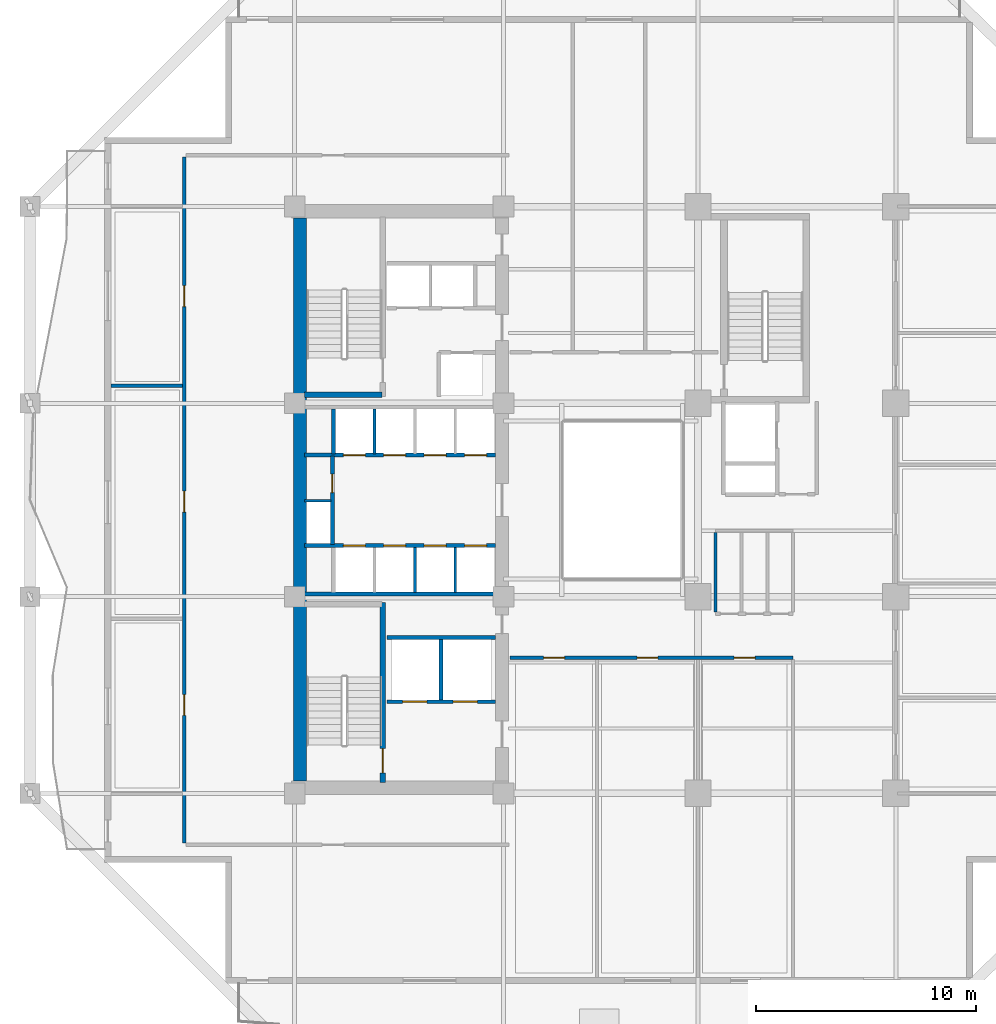
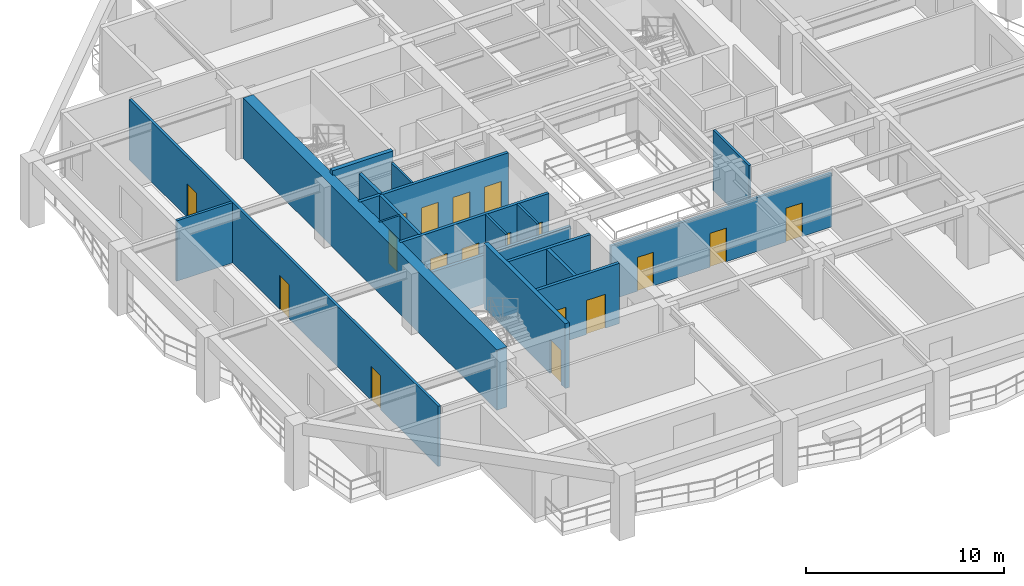
# One storey, part 3 of 13: 19 walls, 18 doors, 18 openings.
"""IFC4 building model written with IfcOpenShell, lengths in metres."""

from ifc_helpers import new_model, si_unit, direction, frame, frame_2d, origin, place, context, subcontext, project, spatial, rectangle, extrude, material, layer, layer_set, type_object, element, fill, save


model = new_model("IFC4")

# Units and contexts
model_context = context("Model", 3, precision=1e-05, world=origin(), true_north=direction((0.0, 1.0)))
body_context = subcontext(model_context, "Body", "Model", "MODEL_VIEW")
ifc_project = project(units=[si_unit("LENGTHUNIT", "METRE"), si_unit("AREAUNIT", "SQUARE_METRE"), si_unit("VOLUMEUNIT", "CUBIC_METRE"), si_unit("PLANEANGLEUNIT", "RADIAN"), si_unit("MASSUNIT", "GRAM", prefix="KILO")], contexts=[model_context])

# Site, building, storey
site_placement = place(None, origin())
site = spatial("IfcSite", under=ifc_project, at=site_placement, CompositionType="ELEMENT")
building_placement = place(site_placement, origin())
building = spatial("IfcBuilding", under=site, at=building_placement, Name="Kundavana Baori Tower", CompositionType="ELEMENT")
storey_placement = place(building_placement, frame((0.0, 0.0, 54.0)))
storey = spatial("IfcBuildingStorey", under=building, at=storey_placement, Name="L12", CompositionType="ELEMENT", Elevation=54.0)

# Wall, opening, door
ifc_material_1 = material(Name="Concrete C50/60", Category="concrete")
ifc_layer_1 = layer(ifc_material_1, 0.39990234375, Name="WL-CORE-400")
ifc_layer_set_1 = layer_set([ifc_layer_1], Name="Concrete C50/60")
wall_type_1 = type_object("IfcWallType", Name="WL-CORE-400", PredefinedType="SHEAR", material=ifc_layer_set_1)
wall_1_placement = place(storey_placement, frame((19.4599609375, 15.739990234375, 0.0), z_axis=(0.0, 0.0, 1.0), x_axis=(0.0, 1.0, 0.0)))
wall_1 = element("IfcWall", 1, at=wall_1_placement, inside=storey, type_object=wall_type_1, Name="WL-L12-ST1-E", PredefinedType="SHEAR", context=body_context, shape_type="SweptSolid", body=[
    extrude(rectangle(XDim=8.199951171875, YDim=0.239990234375, at=frame_2d((4.10009765625, 0.0))), origin(), (0.0, 0.0, 1.0), 4.0),
])
opening_1_placement = place(wall_1_placement, frame((0.449951171875, 0.0, 0.0)))
opening_1 = element("IfcOpeningElement", 2, at=opening_1_placement, cuts=wall_1, Name="Opening FD-110", PredefinedType="OPENING", context=body_context, shape_type="SweptSolid", body=[
    extrude(rectangle(XDim=1.10009765625, YDim=2.10009765625, at=frame_2d((0.550048828125, 1.050048828125))), frame((0.0, 0.1298828125, 0.0), z_axis=(0.0, -1.0, 0.0), x_axis=(1.0, 0.0, 0.0)), (0.0, 0.0, 1.0), 0.260009765625),
])
ifc_material_2 = material(Name="Galvanised Steel Fire-Rated Door Leaf", Category="steel")
door_type_1 = type_object("IfcDoorType", Name="DR-FD120-1100", OperationType="NOTDEFINED", PredefinedType="DOOR", material=ifc_material_2)
door_1_placement = place(opening_1_placement, origin())
door_1 = element("IfcDoor", 3, at=door_1_placement, inside=storey, type_object=door_type_1, Name="DR-L12-ST1", OperationType="SINGLE_SWING_LEFT", OverallHeight=2.10009765625, OverallWidth=1.10009765625, PredefinedType="DOOR", context=body_context, shape_type="SweptSolid", body=[
    extrude(rectangle(XDim=1.10009765625, YDim=2.10009765625, at=frame_2d((0.550048828125, 1.050048828125))), frame((0.0, 0.02490234375, 0.0), z_axis=(0.0, -1.0, 0.0), x_axis=(1.0, 0.0, 0.0)), (0.0, 0.0, 1.0), 0.050048828125),
])
fill(opening_1, door_1)

# Walls
wall_2_placement = place(storey_placement, frame((15.89990234375, 33.389892578125, 0.0), z_axis=(0.0, 0.0, 1.0), x_axis=(1.0, 0.0, 0.0)))
element("IfcWall", 4, at=wall_2_placement, inside=storey, type_object=wall_type_1, Name="WL-L12-ST2-S", PredefinedType="SHEAR", context=body_context, shape_type="SweptSolid", body=[
    extrude(rectangle(XDim=3.52001953125, YDim=0.239990234375, at=frame_2d((1.760009765625, 0.0))), origin(), (0.0, 0.0, 1.0), 4.0),
])
ifc_material_3 = material(Name="Concrete C60/75", Category="concrete")
ifc_layer_2 = layer(ifc_material_3, 0.60009765625, Name="WL-CORE-600")
ifc_layer_set_2 = layer_set([ifc_layer_2], Name="Concrete C60/75")
wall_type_2 = type_object("IfcWallType", Name="WL-CORE-600", PredefinedType="SHEAR", material=ifc_layer_set_2)
wall_3_placement = place(storey_placement, frame((15.68994140625, 15.81005859375, 0.0), z_axis=(0.0, 0.0, 1.0), x_axis=(0.0, 1.0, 0.0)))
element("IfcWall", 5, at=wall_3_placement, inside=storey, type_object=wall_type_2, Name="L12 Offset Core West Shear Wall", PredefinedType="SHEAR", context=body_context, shape_type="SweptSolid", body=[
    extrude(rectangle(XDim=25.6298828125, YDim=0.60009765625, at=frame_2d((12.81494140625, 0.0))), origin(), (0.0, 0.0, 1.0), 3.719970703125),
])
ifc_material_4 = material(Name="Acoustic Gypsum Plasterboard on Galvanised Steel Studs", Category="steel")
ifc_layer_3 = layer(ifc_material_4, 0.1201171875, Name="WL-PART-120")
ifc_layer_set_3 = layer_set([ifc_layer_3], Name="Acoustic Gypsum Plasterboard on Galvanised Steel Studs")
wall_type_3 = type_object("IfcWallType", Name="WL-PART-120", PredefinedType="PARTITIONING", material=ifc_layer_set_3)
for number, where, z_axis, x_axis, name in (
    (6, (20.919921875, 24.39990234375, 0.0), (0.0, 0.0, 1.0), (0.0, 1.0, 0.0), "WL-L12-LPLOW-D2"),
    (7, (22.760009765625, 24.39990234375, 0.0), (0.0, 0.0, 1.0), (0.0, 1.0, 0.0), "WL-L12-LPLOW-D3"),
):
    element("IfcWall", number, at=place(storey_placement, frame(where, z_axis=z_axis, x_axis=x_axis)), inside=storey, type_object=wall_type_3, Name=name, PredefinedType="PARTITIONING", context=body_context, shape_type="SweptSolid", body=[
        extrude(rectangle(XDim=2.050048828125, YDim=0.1201171875, at=frame_2d((1.02490234375, 0.0))), origin(), (0.0, 0.0, 1.0), 3.719970703125),
    ])
wall_4_placement = place(storey_placement, frame((15.89990234375, 28.56005859375, 0.0), z_axis=(0.0, 0.0, 1.0), x_axis=(1.0, 0.0, 0.0)))
element("IfcWall", 8, at=wall_4_placement, inside=storey, type_object=wall_type_3, Name="WL-L12-RSRW-N", PredefinedType="PARTITIONING", context=body_context, shape_type="SweptSolid", body=[
    extrude(rectangle(XDim=1.2001953125, YDim=0.1201171875, at=frame_2d((0.60009765625, 0.0))), origin(), (0.0, 0.0, 1.0), 3.719970703125),
])
wall_5_placement = place(storey_placement, frame((19.080078125, 30.699951171875, 0.0), z_axis=(0.0, 0.0, 1.0), x_axis=(0.0, 1.0, 0.0)))
element("IfcWall", 9, at=wall_5_placement, inside=storey, type_object=wall_type_3, Name="WL-L12-LPMID-D1", PredefinedType="PARTITIONING", context=body_context, shape_type="SweptSolid", body=[
    extrude(rectangle(XDim=2.050048828125, YDim=0.1201171875, at=frame_2d((1.02490234375, 0.0))), origin(), (0.0, 0.0, 1.0), 3.719970703125),
])

# Wall, openings, doors
ifc_material_5 = material(Name="Fire-Rated Gypsum Drywall on Galvanised Steel Studs", Category="steel")
ifc_layer_4 = layer(ifc_material_5, 0.14990234375, Name="WL-PART-150")
ifc_layer_set_4 = layer_set([ifc_layer_4], Name="Fire-Rated Gypsum Drywall on Galvanised Steel Studs")
wall_type_4 = type_object("IfcWallType", Name="WL-PART-150", PredefinedType="PARTITIONING", material=ifc_layer_set_4)
wall_6_placement = place(storey_placement, frame((25.25, 21.419921875, 0.0), z_axis=(0.0, 0.0, 1.0), x_axis=(1.0, 0.0, 0.0)))
wall_6 = element("IfcWall", 10, at=wall_6_placement, inside=storey, type_object=wall_type_4, Name="WL-L12-OFS", PredefinedType="PARTITIONING", context=body_context, shape_type="SweptSolid", body=[
    extrude(rectangle(XDim=12.8701171875, YDim=0.14990234375, at=frame_2d((6.43505859375, 0.0))), origin(), (0.0, 0.0, 1.0), 3.320068359375),
])
opening_2_placement = place(wall_6_placement, frame((1.52490234375, 0.0, 0.0)))
opening_2 = element("IfcOpeningElement", 11, at=opening_2_placement, cuts=wall_6, Name="Opening ID-095", PredefinedType="OPENING", context=body_context, shape_type="SweptSolid", body=[
    extrude(rectangle(XDim=0.949951171875, YDim=2.080078125, at=frame_2d((0.47509765625, 1.0400390625))), frame((0.0, 0.0849609375, 0.0), z_axis=(0.0, -1.0, 0.0), x_axis=(1.0, 0.0, 0.0)), (0.0, 0.0, 1.0), 0.169921875),
])
opening_3_placement = place(wall_6_placement, frame((5.77490234375, 0.0, 0.0)))
opening_3 = element("IfcOpeningElement", 12, at=opening_3_placement, cuts=wall_6, Name="Opening ID-095", PredefinedType="OPENING", context=body_context, shape_type="SweptSolid", body=[
    extrude(rectangle(XDim=0.949951171875, YDim=2.080078125, at=frame_2d((0.47509765625, 1.0400390625))), frame((0.0, 0.0849609375, 0.0), z_axis=(0.0, -1.0, 0.0), x_axis=(1.0, 0.0, 0.0)), (0.0, 0.0, 1.0), 0.169921875),
])
opening_4_placement = place(wall_6_placement, frame((10.195068359375, 0.0, 0.0)))
opening_4 = element("IfcOpeningElement", 13, at=opening_4_placement, cuts=wall_6, Name="Opening ID-095", PredefinedType="OPENING", context=body_context, shape_type="SweptSolid", body=[
    extrude(rectangle(XDim=0.949951171875, YDim=2.080078125, at=frame_2d((0.47509765625, 1.0400390625))), frame((0.0, 0.0849609375, 0.0), z_axis=(0.0, -1.0, 0.0), x_axis=(1.0, 0.0, 0.0)), (0.0, 0.0, 1.0), 0.169921875),
])
ifc_material_6 = material(Name="Engineered Teak Solid-Core Timber Veneer", Category="wood")
door_type_2 = type_object("IfcDoorType", Name="DR-INT-950", OperationType="NOTDEFINED", PredefinedType="DOOR", material=ifc_material_6)
door_2_placement = place(opening_2_placement, frame((0.949951171875, 0.0, 0.0), z_axis=(0.0, 0.0, 1.0), x_axis=(-1.0, 0.0, 0.0)))
door_2 = element("IfcDoor", 14, at=door_2_placement, inside=storey, type_object=door_type_2, Name="DR-L12-OFS1", OperationType="SINGLE_SWING_LEFT", OverallHeight=2.080078125, OverallWidth=0.949951171875, PredefinedType="DOOR", context=body_context, shape_type="SweptSolid", body=[
    extrude(rectangle(XDim=0.949951171875, YDim=2.080078125, at=frame_2d((0.47509765625, 1.0400390625))), frame((0.0, 0.02490234375, 0.0), z_axis=(0.0, -1.0, 0.0), x_axis=(1.0, 0.0, 0.0)), (0.0, 0.0, 1.0), 0.050048828125),
])
fill(opening_2, door_2)
door_3_placement = place(opening_3_placement, frame((0.949951171875, 0.0, 0.0), z_axis=(0.0, 0.0, 1.0), x_axis=(-1.0, 0.0, 0.0)))
door_3 = element("IfcDoor", 15, at=door_3_placement, inside=storey, type_object=door_type_2, Name="DR-L12-OFS2", OperationType="SINGLE_SWING_RIGHT", OverallHeight=2.080078125, OverallWidth=0.949951171875, PredefinedType="DOOR", context=body_context, shape_type="SweptSolid", body=[
    extrude(rectangle(XDim=0.949951171875, YDim=2.080078125, at=frame_2d((0.47509765625, 1.0400390625))), frame((0.0, 0.02490234375, 0.0), z_axis=(0.0, -1.0, 0.0), x_axis=(1.0, 0.0, 0.0)), (0.0, 0.0, 1.0), 0.050048828125),
])
fill(opening_3, door_3)
door_4_placement = place(opening_4_placement, frame((0.949951171875, 0.0, 0.0), z_axis=(0.0, 0.0, 1.0), x_axis=(-1.0, 0.0, 0.0)))
door_4 = element("IfcDoor", 16, at=door_4_placement, inside=storey, type_object=door_type_2, Name="DR-L12-OFS3", OperationType="SINGLE_SWING_LEFT", OverallHeight=2.080078125, OverallWidth=0.949951171875, PredefinedType="DOOR", context=body_context, shape_type="SweptSolid", body=[
    extrude(rectangle(XDim=0.949951171875, YDim=2.080078125, at=frame_2d((0.47509765625, 1.0400390625))), frame((0.0, 0.02490234375, 0.0), z_axis=(0.0, -1.0, 0.0), x_axis=(1.0, 0.0, 0.0)), (0.0, 0.0, 1.0), 0.050048828125),
])
fill(opening_4, door_4)

wall_7_placement = place(storey_placement, frame((10.419921875, 13.0, 0.0), z_axis=(0.0, 0.0, 1.0), x_axis=(0.0, 1.0, 0.0)))
wall_7 = element("IfcWall", 17, at=wall_7_placement, inside=storey, type_object=wall_type_4, Name="WL-L12-OW", PredefinedType="PARTITIONING", context=body_context, shape_type="SweptSolid", body=[
    extrude(rectangle(XDim=31.199951171875, YDim=0.14990234375, at=frame_2d((15.60009765625, 0.0))), origin(), (0.0, 0.0, 1.0), 3.719970703125),
])
opening_5_placement = place(wall_7_placement, frame((5.800048828125, 0.0, 0.0)))
opening_5 = element("IfcOpeningElement", 18, at=opening_5_placement, cuts=wall_7, Name="Opening ID-095", PredefinedType="OPENING", context=body_context, shape_type="SweptSolid", body=[
    extrude(rectangle(XDim=0.949951171875, YDim=2.080078125, at=frame_2d((0.47509765625, 1.0400390625))), frame((0.0, 0.0849609375, 0.0), z_axis=(0.0, -1.0, 0.0), x_axis=(1.0, 0.0, 0.0)), (0.0, 0.0, 1.0), 0.169921875),
])
opening_6_placement = place(wall_7_placement, frame((15.050048828125, 0.0, 0.0)))
opening_6 = element("IfcOpeningElement", 19, at=opening_6_placement, cuts=wall_7, Name="Opening ID-095", PredefinedType="OPENING", context=body_context, shape_type="SweptSolid", body=[
    extrude(rectangle(XDim=0.949951171875, YDim=2.080078125, at=frame_2d((0.47509765625, 1.0400390625))), frame((0.0, 0.0849609375, 0.0), z_axis=(0.0, -1.0, 0.0), x_axis=(1.0, 0.0, 0.0)), (0.0, 0.0, 1.0), 0.169921875),
])
opening_7_placement = place(wall_7_placement, frame((24.39990234375, 0.0, 0.0)))
opening_7 = element("IfcOpeningElement", 20, at=opening_7_placement, cuts=wall_7, Name="Opening ID-095", PredefinedType="OPENING", context=body_context, shape_type="SweptSolid", body=[
    extrude(rectangle(XDim=0.949951171875, YDim=2.080078125, at=frame_2d((0.47509765625, 1.0400390625))), frame((0.0, 0.0849609375, 0.0), z_axis=(0.0, -1.0, 0.0), x_axis=(1.0, 0.0, 0.0)), (0.0, 0.0, 1.0), 0.169921875),
])
door_5_placement = place(opening_5_placement, frame((0.949951171875, 0.0, 0.0), z_axis=(0.0, 0.0, 1.0), x_axis=(-1.0, 0.0, 0.0)))
door_5 = element("IfcDoor", 21, at=door_5_placement, inside=storey, type_object=door_type_2, Name="DR-L12-OFW1", OperationType="SINGLE_SWING_LEFT", OverallHeight=2.080078125, OverallWidth=0.949951171875, PredefinedType="DOOR", context=body_context, shape_type="SweptSolid", body=[
    extrude(rectangle(XDim=0.949951171875, YDim=2.080078125, at=frame_2d((0.47509765625, 1.0400390625))), frame((0.0, 0.02490234375, 0.0), z_axis=(0.0, -1.0, 0.0), x_axis=(1.0, 0.0, 0.0)), (0.0, 0.0, 1.0), 0.050048828125),
])
fill(opening_5, door_5)
door_6_placement = place(opening_6_placement, frame((0.949951171875, 0.0, 0.0), z_axis=(0.0, 0.0, 1.0), x_axis=(-1.0, 0.0, 0.0)))
door_6 = element("IfcDoor", 22, at=door_6_placement, inside=storey, type_object=door_type_2, Name="DR-L12-OFW2", OperationType="SINGLE_SWING_RIGHT", OverallHeight=2.080078125, OverallWidth=0.949951171875, PredefinedType="DOOR", context=body_context, shape_type="SweptSolid", body=[
    extrude(rectangle(XDim=0.949951171875, YDim=2.080078125, at=frame_2d((0.47509765625, 1.0400390625))), frame((0.0, 0.02490234375, 0.0), z_axis=(0.0, -1.0, 0.0), x_axis=(1.0, 0.0, 0.0)), (0.0, 0.0, 1.0), 0.050048828125),
])
fill(opening_6, door_6)
door_7_placement = place(opening_7_placement, frame((0.949951171875, 0.0, 0.0), z_axis=(0.0, 0.0, 1.0), x_axis=(-1.0, 0.0, 0.0)))
door_7 = element("IfcDoor", 23, at=door_7_placement, inside=storey, type_object=door_type_2, Name="DR-L12-OFW3", OperationType="SINGLE_SWING_LEFT", OverallHeight=2.080078125, OverallWidth=0.949951171875, PredefinedType="DOOR", context=body_context, shape_type="SweptSolid", body=[
    extrude(rectangle(XDim=0.949951171875, YDim=2.080078125, at=frame_2d((0.47509765625, 1.0400390625))), frame((0.0, 0.02490234375, 0.0), z_axis=(0.0, -1.0, 0.0), x_axis=(1.0, 0.0, 0.0)), (0.0, 0.0, 1.0), 0.050048828125),
])
fill(opening_7, door_7)

# Wall
wall_8_placement = place(storey_placement, frame((7.080078125, 33.800048828125, 0.0), z_axis=(0.0, 0.0, 1.0), x_axis=(1.0, 0.0, 0.0)))
element("IfcWall", 24, at=wall_8_placement, inside=storey, type_object=wall_type_4, Name="WL-L12-WD2", PredefinedType="PARTITIONING", context=body_context, shape_type="SweptSolid", body=[
    extrude(rectangle(XDim=3.260009765625, YDim=0.14990234375, at=frame_2d((1.6298828125, 0.0))), origin(), (0.0, 0.0, 1.0), 3.719970703125),
])

# Wall, openings, doors
ifc_material_7 = material(Name="Autoclaved Aerated Concrete Blockwork Masonry", Category="masonry")
ifc_layer_5 = layer(ifc_material_7, 0.179931640625, Name="WL-SHAFT-180")
ifc_layer_set_5 = layer_set([ifc_layer_5], Name="Autoclaved Aerated Concrete Blockwork Masonry")
wall_type_5 = type_object("IfcWallType", Name="WL-SHAFT-180", PredefinedType="SOLIDWALL", material=ifc_layer_set_5)
wall_9_placement = place(storey_placement, frame((19.639892578125, 19.419921875, 0.0), z_axis=(0.0, 0.0, 1.0), x_axis=(1.0, 0.0, 0.0)))
wall_9 = element("IfcWall", 25, at=wall_9_placement, inside=storey, type_object=wall_type_5, Name="WL-L12-FFL-S", PredefinedType="SOLIDWALL", context=body_context, shape_type="SweptSolid", body=[
    extrude(rectangle(XDim=4.940185546875, YDim=0.179931640625, at=frame_2d((2.47021484375, 0.0))), origin(), (0.0, 0.0, 1.0), 3.719970703125),
])
opening_8_placement = place(wall_9_placement, frame((0.719970703125, 0.0, 0.0)))
opening_8 = element("IfcOpeningElement", 26, at=opening_8_placement, cuts=wall_9, Name="Opening LD-110", PredefinedType="OPENING", context=body_context, shape_type="SweptSolid", body=[
    extrude(rectangle(XDim=1.10009765625, YDim=2.10009765625, at=frame_2d((0.550048828125, 1.050048828125))), frame((0.0, 0.10009765625, 0.0), z_axis=(0.0, -1.0, 0.0), x_axis=(1.0, 0.0, 0.0)), (0.0, 0.0, 1.0), 0.199951171875),
])
opening_9_placement = place(wall_9_placement, frame((3.02001953125, 0.0, 0.0)))
opening_9 = element("IfcOpeningElement", 27, at=opening_9_placement, cuts=wall_9, Name="Opening LD-110", PredefinedType="OPENING", context=body_context, shape_type="SweptSolid", body=[
    extrude(rectangle(XDim=1.10009765625, YDim=2.10009765625, at=frame_2d((0.550048828125, 1.050048828125))), frame((0.0, 0.10009765625, 0.0), z_axis=(0.0, -1.0, 0.0), x_axis=(1.0, 0.0, 0.0)), (0.0, 0.0, 1.0), 0.199951171875),
])
ifc_material_8 = material(Name="Galvanised Steel Fire-Rated Door Leaf", Category="steel")
door_type_3 = type_object("IfcDoorType", Name="DR-SLIDE-LD1100", OperationType="NOTDEFINED", PredefinedType="DOOR", material=ifc_material_8)
door_8_placement = place(opening_8_placement, origin())
door_8 = element("IfcDoor", 28, at=door_8_placement, inside=storey, type_object=door_type_3, Name="DR-L12-LD-FFL-1", OperationType="DOUBLE_DOOR_SLIDING", OverallHeight=2.10009765625, OverallWidth=1.10009765625, PredefinedType="DOOR", context=body_context, shape_type="SweptSolid", body=[
    extrude(rectangle(XDim=1.10009765625, YDim=2.10009765625, at=frame_2d((0.550048828125, 1.050048828125))), frame((0.0, 0.02490234375, 0.0), z_axis=(0.0, -1.0, 0.0), x_axis=(1.0, 0.0, 0.0)), (0.0, 0.0, 1.0), 0.050048828125),
])
fill(opening_8, door_8)
door_9_placement = place(opening_9_placement, origin())
door_9 = element("IfcDoor", 29, at=door_9_placement, inside=storey, type_object=door_type_3, Name="DR-L12-LD-FFL-2", OperationType="DOUBLE_DOOR_SLIDING", OverallHeight=2.10009765625, OverallWidth=1.10009765625, PredefinedType="DOOR", context=body_context, shape_type="SweptSolid", body=[
    extrude(rectangle(XDim=1.10009765625, YDim=2.10009765625, at=frame_2d((0.550048828125, 1.050048828125))), frame((0.0, 0.02490234375, 0.0), z_axis=(0.0, -1.0, 0.0), x_axis=(1.0, 0.0, 0.0)), (0.0, 0.0, 1.0), 0.050048828125),
])
fill(opening_9, door_9)

# Walls
wall_10_placement = place(storey_placement, frame((22.10009765625, 19.510009765625, 0.0), z_axis=(0.0, 0.0, 1.0), x_axis=(0.0, 1.0, 0.0)))
element("IfcWall", 30, at=wall_10_placement, inside=storey, type_object=wall_type_5, Name="WL-L12-FFL-MID", PredefinedType="SOLIDWALL", context=body_context, shape_type="SweptSolid", body=[
    extrude(rectangle(XDim=2.739990234375, YDim=0.179931640625, at=frame_2d((1.3701171875, 0.0))), origin(), (0.0, 0.0, 1.0), 3.719970703125),
])
wall_11_placement = place(storey_placement, frame((19.639892578125, 22.340087890625, 0.0), z_axis=(0.0, 0.0, 1.0), x_axis=(1.0, 0.0, 0.0)))
element("IfcWall", 31, at=wall_11_placement, inside=storey, type_object=wall_type_5, Name="WL-L12-FFL-N", PredefinedType="SOLIDWALL", context=body_context, shape_type="SweptSolid", body=[
    extrude(rectangle(XDim=4.940185546875, YDim=0.179931640625, at=frame_2d((2.47021484375, 0.0))), origin(), (0.0, 0.0, 1.0), 3.719970703125),
])

# Wall, openings, doors
wall_12_placement = place(storey_placement, frame((15.89990234375, 26.52001953125, 0.0), z_axis=(0.0, 0.0, 1.0), x_axis=(1.0, 0.0, 0.0)))
wall_12 = element("IfcWall", 32, at=wall_12_placement, inside=storey, type_object=wall_type_5, Name="WL-L12-LPLOW-N", PredefinedType="SOLIDWALL", context=body_context, shape_type="SweptSolid", body=[
    extrude(rectangle(XDim=8.68017578125, YDim=0.179931640625, at=frame_2d((4.340087890625, 0.0))), origin(), (0.0, 0.0, 1.0), 3.719970703125),
])
opening_10_placement = place(wall_12_placement, frame((1.760009765625, 0.0, 0.0)))
opening_10 = element("IfcOpeningElement", 33, at=opening_10_placement, cuts=wall_12, Name="Opening LD-100", PredefinedType="OPENING", context=body_context, shape_type="SweptSolid", body=[
    extrude(rectangle(XDim=1.0, YDim=2.10009765625, at=frame_2d((0.5, 1.050048828125))), frame((0.0, 0.10009765625, 0.0), z_axis=(0.0, -1.0, 0.0), x_axis=(1.0, 0.0, 0.0)), (0.0, 0.0, 1.0), 0.199951171875),
])
opening_11_placement = place(wall_12_placement, frame((3.60009765625, 0.0, 0.0)))
opening_11 = element("IfcOpeningElement", 34, at=opening_11_placement, cuts=wall_12, Name="Opening LD-100", PredefinedType="OPENING", context=body_context, shape_type="SweptSolid", body=[
    extrude(rectangle(XDim=1.0, YDim=2.10009765625, at=frame_2d((0.5, 1.050048828125))), frame((0.0, 0.10009765625, 0.0), z_axis=(0.0, -1.0, 0.0), x_axis=(1.0, 0.0, 0.0)), (0.0, 0.0, 1.0), 0.199951171875),
])
opening_12_placement = place(wall_12_placement, frame((5.43994140625, 0.0, 0.0)))
opening_12 = element("IfcOpeningElement", 35, at=opening_12_placement, cuts=wall_12, Name="Opening LD-100", PredefinedType="OPENING", context=body_context, shape_type="SweptSolid", body=[
    extrude(rectangle(XDim=1.0, YDim=2.10009765625, at=frame_2d((0.5, 1.050048828125))), frame((0.0, 0.10009765625, 0.0), z_axis=(0.0, -1.0, 0.0), x_axis=(1.0, 0.0, 0.0)), (0.0, 0.0, 1.0), 0.199951171875),
])
opening_13_placement = place(wall_12_placement, frame((7.280029296875, 0.0, 0.0)))
opening_13 = element("IfcOpeningElement", 36, at=opening_13_placement, cuts=wall_12, Name="Opening LD-100", PredefinedType="OPENING", context=body_context, shape_type="SweptSolid", body=[
    extrude(rectangle(XDim=1.0, YDim=2.10009765625, at=frame_2d((0.5, 1.050048828125))), frame((0.0, 0.10009765625, 0.0), z_axis=(0.0, -1.0, 0.0), x_axis=(1.0, 0.0, 0.0)), (0.0, 0.0, 1.0), 0.199951171875),
])
ifc_material_9 = material(Name="Galvanised Steel Fire-Rated Door Leaf", Category="steel")
door_type_4 = type_object("IfcDoorType", Name="DR-SLIDE-LD1000", OperationType="NOTDEFINED", PredefinedType="DOOR", material=ifc_material_9)
door_10_placement = place(opening_10_placement, origin())
door_10 = element("IfcDoor", 37, at=door_10_placement, inside=storey, type_object=door_type_4, Name="DR-L12-LD-LP-01", OperationType="DOUBLE_DOOR_SLIDING", OverallHeight=2.10009765625, OverallWidth=1.0, PredefinedType="DOOR", context=body_context, shape_type="SweptSolid", body=[
    extrude(rectangle(XDim=1.0, YDim=2.10009765625, at=frame_2d((0.5, 1.050048828125))), frame((0.0, 0.02490234375, 0.0), z_axis=(0.0, -1.0, 0.0), x_axis=(1.0, 0.0, 0.0)), (0.0, 0.0, 1.0), 0.050048828125),
])
fill(opening_10, door_10)
door_11_placement = place(opening_11_placement, origin())
door_11 = element("IfcDoor", 38, at=door_11_placement, inside=storey, type_object=door_type_4, Name="DR-L12-LD-LP-02", OperationType="DOUBLE_DOOR_SLIDING", OverallHeight=2.10009765625, OverallWidth=1.0, PredefinedType="DOOR", context=body_context, shape_type="SweptSolid", body=[
    extrude(rectangle(XDim=1.0, YDim=2.10009765625, at=frame_2d((0.5, 1.050048828125))), frame((0.0, 0.02490234375, 0.0), z_axis=(0.0, -1.0, 0.0), x_axis=(1.0, 0.0, 0.0)), (0.0, 0.0, 1.0), 0.050048828125),
])
fill(opening_11, door_11)
door_12_placement = place(opening_12_placement, origin())
door_12 = element("IfcDoor", 39, at=door_12_placement, inside=storey, type_object=door_type_4, Name="DR-L12-LD-LP-03", OperationType="DOUBLE_DOOR_SLIDING", OverallHeight=2.10009765625, OverallWidth=1.0, PredefinedType="DOOR", context=body_context, shape_type="SweptSolid", body=[
    extrude(rectangle(XDim=1.0, YDim=2.10009765625, at=frame_2d((0.5, 1.050048828125))), frame((0.0, 0.02490234375, 0.0), z_axis=(0.0, -1.0, 0.0), x_axis=(1.0, 0.0, 0.0)), (0.0, 0.0, 1.0), 0.050048828125),
])
fill(opening_12, door_12)
door_13_placement = place(opening_13_placement, origin())
door_13 = element("IfcDoor", 40, at=door_13_placement, inside=storey, type_object=door_type_4, Name="DR-L12-LD-LP-04", OperationType="DOUBLE_DOOR_SLIDING", OverallHeight=2.10009765625, OverallWidth=1.0, PredefinedType="DOOR", context=body_context, shape_type="SweptSolid", body=[
    extrude(rectangle(XDim=1.0, YDim=2.10009765625, at=frame_2d((0.5, 1.050048828125))), frame((0.0, 0.02490234375, 0.0), z_axis=(0.0, -1.0, 0.0), x_axis=(1.0, 0.0, 0.0)), (0.0, 0.0, 1.0), 0.050048828125),
])
fill(opening_13, door_13)

# Wall
wall_13_placement = place(storey_placement, frame((15.89990234375, 24.330078125, 0.0), z_axis=(0.0, 0.0, 1.0), x_axis=(1.0, 0.0, 0.0)))
element("IfcWall", 41, at=wall_13_placement, inside=storey, type_object=wall_type_5, Name="WL-L12-LPLOW-S", PredefinedType="SOLIDWALL", context=body_context, shape_type="SweptSolid", body=[
    extrude(rectangle(XDim=8.68017578125, YDim=0.179931640625, at=frame_2d((4.340087890625, 0.0))), origin(), (0.0, 0.0, 1.0), 3.02001953125),
])

# Wall, opening, door
wall_14_placement = place(storey_placement, frame((17.159912109375, 26.580078125, 0.0), z_axis=(0.0, 0.0, 1.0), x_axis=(0.0, 1.0, 0.0)))
wall_14 = element("IfcWall", 42, at=wall_14_placement, inside=storey, type_object=wall_type_5, Name="WL-L12-RSRW-E", PredefinedType="SOLIDWALL", context=body_context, shape_type="SweptSolid", body=[
    extrude(rectangle(XDim=4.02001953125, YDim=0.179931640625, at=frame_2d((2.010009765625, 0.0))), origin(), (0.0, 0.0, 1.0), 3.719970703125),
])
opening_14_placement = place(wall_14_placement, frame((2.35009765625, 0.0, 0.0)))
opening_14 = element("IfcOpeningElement", 43, at=opening_14_placement, cuts=wall_14, Name="Opening FD-085", PredefinedType="OPENING", context=body_context, shape_type="SweptSolid", body=[
    extrude(rectangle(XDim=0.85009765625, YDim=2.06005859375, at=frame_2d((0.425048828125, 1.030029296875))), frame((0.0, 0.10009765625, 0.0), z_axis=(0.0, -1.0, 0.0), x_axis=(1.0, 0.0, 0.0)), (0.0, 0.0, 1.0), 0.199951171875),
])
ifc_material_10 = material(Name="Galvanised Steel Fire-Rated Door Leaf", Category="steel")
door_type_5 = type_object("IfcDoorType", Name="DR-FD60-850", OperationType="NOTDEFINED", PredefinedType="DOOR", material=ifc_material_10)
door_14_placement = place(opening_14_placement, origin())
door_14 = element("IfcDoor", 44, at=door_14_placement, inside=storey, type_object=door_type_5, Name="DR-L12-CLN", OperationType="SINGLE_SWING_RIGHT", OverallHeight=2.06005859375, OverallWidth=0.85009765625, PredefinedType="DOOR", context=body_context, shape_type="SweptSolid", body=[
    extrude(rectangle(XDim=0.85009765625, YDim=2.06005859375, at=frame_2d((0.425048828125, 1.030029296875))), frame((0.0, 0.02490234375, 0.0), z_axis=(0.0, -1.0, 0.0), x_axis=(1.0, 0.0, 0.0)), (0.0, 0.0, 1.0), 0.050048828125),
])
fill(opening_14, door_14)

# Wall, openings, doors
wall_15_placement = place(storey_placement, frame((15.89990234375, 30.639892578125, 0.0), z_axis=(0.0, 0.0, 1.0), x_axis=(1.0, 0.0, 0.0)))
wall_15 = element("IfcWall", 45, at=wall_15_placement, inside=storey, type_object=wall_type_5, Name="WL-L12-LPMID-S", PredefinedType="SOLIDWALL", context=body_context, shape_type="SweptSolid", body=[
    extrude(rectangle(XDim=8.68017578125, YDim=0.179931640625, at=frame_2d((4.340087890625, 0.0))), origin(), (0.0, 0.0, 1.0), 3.719970703125),
])
opening_15_placement = place(wall_15_placement, frame((1.760009765625, 0.0, 0.0)))
opening_15 = element("IfcOpeningElement", 46, at=opening_15_placement, cuts=wall_15, Name="Opening LD-100", PredefinedType="OPENING", context=body_context, shape_type="SweptSolid", body=[
    extrude(rectangle(XDim=1.0, YDim=2.10009765625, at=frame_2d((0.5, 1.050048828125))), frame((0.0, 0.10009765625, 0.0), z_axis=(0.0, -1.0, 0.0), x_axis=(1.0, 0.0, 0.0)), (0.0, 0.0, 1.0), 0.199951171875),
])
opening_16_placement = place(wall_15_placement, frame((3.60009765625, 0.0, 0.0)))
opening_16 = element("IfcOpeningElement", 47, at=opening_16_placement, cuts=wall_15, Name="Opening LD-100", PredefinedType="OPENING", context=body_context, shape_type="SweptSolid", body=[
    extrude(rectangle(XDim=1.0, YDim=2.10009765625, at=frame_2d((0.5, 1.050048828125))), frame((0.0, 0.10009765625, 0.0), z_axis=(0.0, -1.0, 0.0), x_axis=(1.0, 0.0, 0.0)), (0.0, 0.0, 1.0), 0.199951171875),
])
opening_17_placement = place(wall_15_placement, frame((5.43994140625, 0.0, 0.0)))
opening_17 = element("IfcOpeningElement", 48, at=opening_17_placement, cuts=wall_15, Name="Opening LD-100", PredefinedType="OPENING", context=body_context, shape_type="SweptSolid", body=[
    extrude(rectangle(XDim=1.0, YDim=2.10009765625, at=frame_2d((0.5, 1.050048828125))), frame((0.0, 0.10009765625, 0.0), z_axis=(0.0, -1.0, 0.0), x_axis=(1.0, 0.0, 0.0)), (0.0, 0.0, 1.0), 0.199951171875),
])
opening_18_placement = place(wall_15_placement, frame((7.280029296875, 0.0, 0.0)))
opening_18 = element("IfcOpeningElement", 49, at=opening_18_placement, cuts=wall_15, Name="Opening LD-100", PredefinedType="OPENING", context=body_context, shape_type="SweptSolid", body=[
    extrude(rectangle(XDim=1.0, YDim=2.10009765625, at=frame_2d((0.5, 1.050048828125))), frame((0.0, 0.10009765625, 0.0), z_axis=(0.0, -1.0, 0.0), x_axis=(1.0, 0.0, 0.0)), (0.0, 0.0, 1.0), 0.199951171875),
])
door_15_placement = place(opening_15_placement, frame((1.0, 0.0, 0.0), z_axis=(0.0, 0.0, 1.0), x_axis=(-1.0, 0.0, 0.0)))
door_15 = element("IfcDoor", 50, at=door_15_placement, inside=storey, type_object=door_type_4, Name="DR-L12-LD-LP-05", OperationType="DOUBLE_DOOR_SLIDING", OverallHeight=2.10009765625, OverallWidth=1.0, PredefinedType="DOOR", context=body_context, shape_type="SweptSolid", body=[
    extrude(rectangle(XDim=1.0, YDim=2.10009765625, at=frame_2d((0.5, 1.050048828125))), frame((0.0, 0.02490234375, 0.0), z_axis=(0.0, -1.0, 0.0), x_axis=(1.0, 0.0, 0.0)), (0.0, 0.0, 1.0), 0.050048828125),
])
fill(opening_15, door_15)
door_16_placement = place(opening_16_placement, frame((1.0, 0.0, 0.0), z_axis=(0.0, 0.0, 1.0), x_axis=(-1.0, 0.0, 0.0)))
door_16 = element("IfcDoor", 51, at=door_16_placement, inside=storey, type_object=door_type_4, Name="DR-L12-LD-LP-06", OperationType="DOUBLE_DOOR_SLIDING", OverallHeight=2.10009765625, OverallWidth=1.0, PredefinedType="DOOR", context=body_context, shape_type="SweptSolid", body=[
    extrude(rectangle(XDim=1.0, YDim=2.10009765625, at=frame_2d((0.5, 1.050048828125))), frame((0.0, 0.02490234375, 0.0), z_axis=(0.0, -1.0, 0.0), x_axis=(1.0, 0.0, 0.0)), (0.0, 0.0, 1.0), 0.050048828125),
])
fill(opening_16, door_16)
door_17_placement = place(opening_17_placement, frame((1.0, 0.0, 0.0), z_axis=(0.0, 0.0, 1.0), x_axis=(-1.0, 0.0, 0.0)))
door_17 = element("IfcDoor", 52, at=door_17_placement, inside=storey, type_object=door_type_4, Name="DR-L12-LD-LP-07", OperationType="DOUBLE_DOOR_SLIDING", OverallHeight=2.10009765625, OverallWidth=1.0, PredefinedType="DOOR", context=body_context, shape_type="SweptSolid", body=[
    extrude(rectangle(XDim=1.0, YDim=2.10009765625, at=frame_2d((0.5, 1.050048828125))), frame((0.0, 0.02490234375, 0.0), z_axis=(0.0, -1.0, 0.0), x_axis=(1.0, 0.0, 0.0)), (0.0, 0.0, 1.0), 0.050048828125),
])
fill(opening_17, door_17)
door_18_placement = place(opening_18_placement, frame((1.0, 0.0, 0.0), z_axis=(0.0, 0.0, 1.0), x_axis=(-1.0, 0.0, 0.0)))
door_18 = element("IfcDoor", 53, at=door_18_placement, inside=storey, type_object=door_type_4, Name="DR-L12-LD-LP-08", OperationType="DOUBLE_DOOR_SLIDING", OverallHeight=2.10009765625, OverallWidth=1.0, PredefinedType="DOOR", context=body_context, shape_type="SweptSolid", body=[
    extrude(rectangle(XDim=1.0, YDim=2.10009765625, at=frame_2d((0.5, 1.050048828125))), frame((0.0, 0.02490234375, 0.0), z_axis=(0.0, -1.0, 0.0), x_axis=(1.0, 0.0, 0.0)), (0.0, 0.0, 1.0), 0.050048828125),
])
fill(opening_18, door_18)

# Walls
wall_16_placement = place(storey_placement, frame((17.219970703125, 30.699951171875, 0.0), z_axis=(0.0, 0.0, 1.0), x_axis=(0.0, 1.0, 0.0)))
element("IfcWall", 54, at=wall_16_placement, inside=storey, type_object=wall_type_5, Name="WL-L12-LPMID-W", PredefinedType="SOLIDWALL", context=body_context, shape_type="SweptSolid", body=[
    extrude(rectangle(XDim=2.050048828125, YDim=0.179931640625, at=frame_2d((1.02490234375, 0.0))), origin(), (0.0, 0.0, 1.0), 3.719970703125),
])
ifc_material_11 = material(Name="Autoclaved Aerated Concrete Blockwork Masonry", Category="masonry")
ifc_layer_6 = layer(ifc_material_11, 0.125, Name="WL-WET-120")
ifc_layer_set_6 = layer_set([ifc_layer_6], Name="Autoclaved Aerated Concrete Blockwork Masonry")
wall_type_6 = type_object("IfcWallType", Name="WL-WET-120", PredefinedType="PLUMBINGWALL", material=ifc_layer_set_6)
wall_17_placement = place(storey_placement, frame((34.60009765625, 23.5, 0.0), z_axis=(0.0, 0.0, 1.0), x_axis=(0.0, 1.0, 0.0)))
element("IfcWall", 55, at=wall_17_placement, inside=storey, type_object=wall_type_6, Name="WL-L12-WCW", PredefinedType="PLUMBINGWALL", context=body_context, shape_type="SweptSolid", body=[
    extrude(rectangle(XDim=3.6201171875, YDim=0.125, at=frame_2d((1.81005859375, 0.0))), origin(), (0.0, 0.0, 1.0), 3.719970703125),
])

save(model, "model.ifc")
